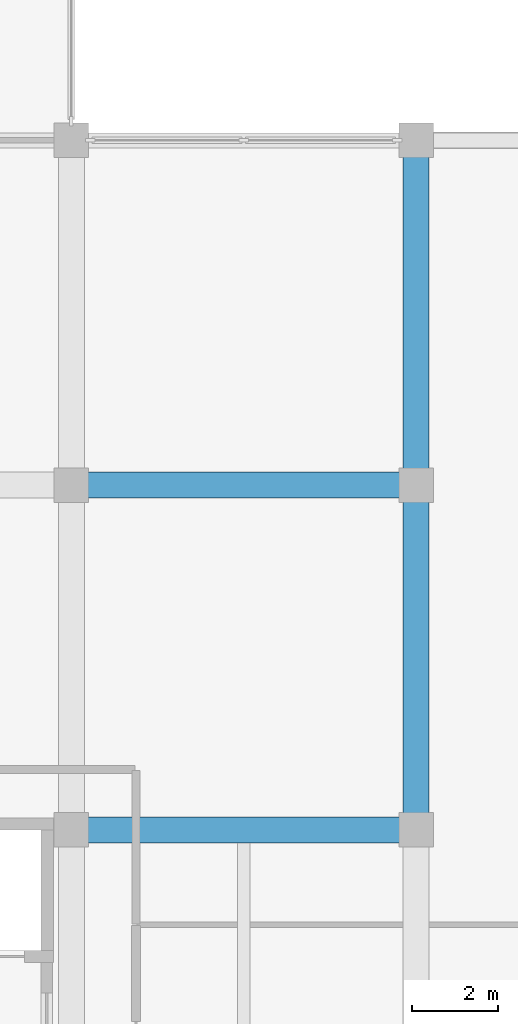
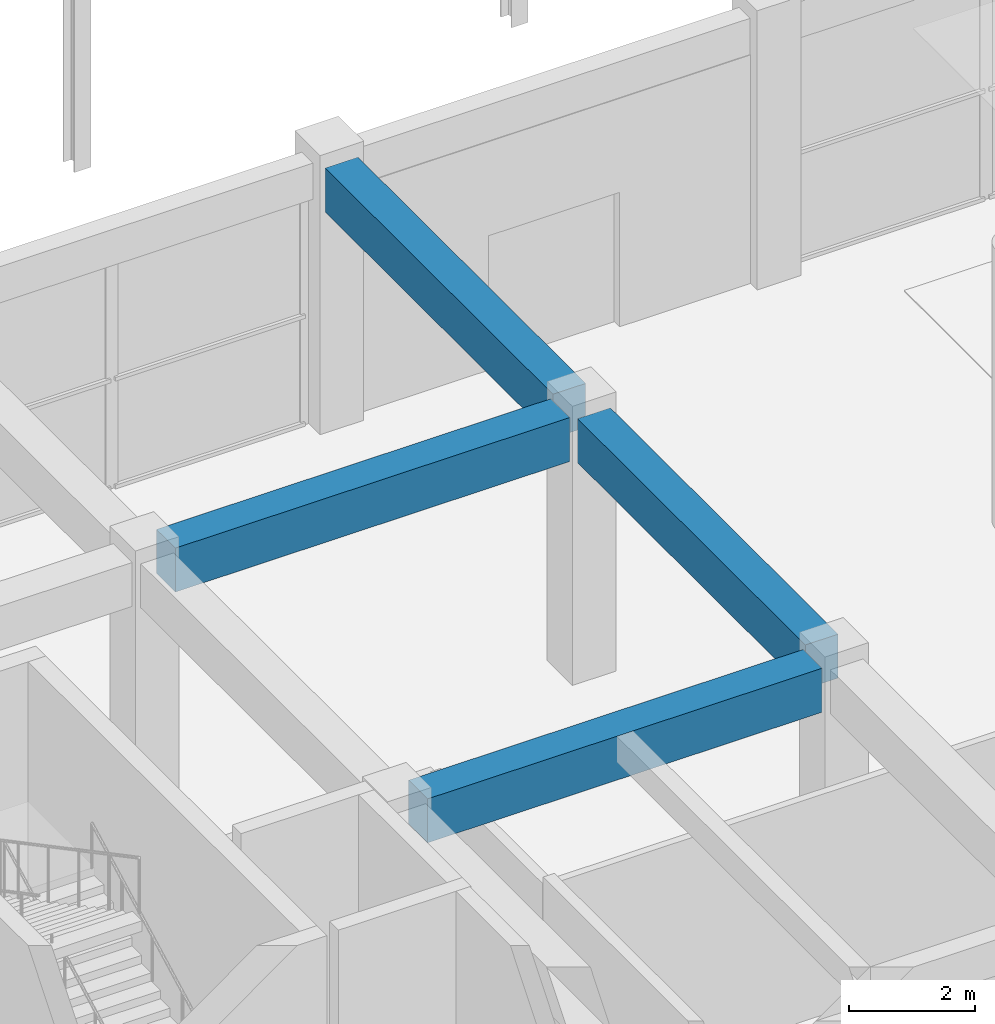
# One storey, part 21 of 86: 4 beams.
"""IFC4 building model written with IfcOpenShell, lengths in metres."""

from ifc_helpers import new_model, si_unit, direction, frame, origin, origin_2d, place, context, subcontext, project, spatial, rectangle, extrude, material, material_profile, profile_set, type_object, element, save


model = new_model("IFC4")

# Units and contexts
model_context = context("Model", 3, precision=1e-05, world=origin(), true_north=direction((0.0, 1.0)))
body_context = subcontext(model_context, "Body", "Model", "MODEL_VIEW")
ifc_project = project(units=[si_unit("LENGTHUNIT", "METRE"), si_unit("AREAUNIT", "SQUARE_METRE"), si_unit("VOLUMEUNIT", "CUBIC_METRE"), si_unit("PLANEANGLEUNIT", "RADIAN"), si_unit("MASSUNIT", "GRAM", prefix="KILO")], contexts=[model_context])

# Site, building, storey
site_placement = place(None, origin())
site = spatial("IfcSite", under=ifc_project, at=site_placement, CompositionType="ELEMENT")
building_placement = place(site_placement, origin())
building = spatial("IfcBuilding", under=site, at=building_placement, Name="Kenh Van Central Station", CompositionType="ELEMENT")
storey_placement = place(building_placement, origin())
storey = spatial("IfcBuildingStorey", under=building, at=storey_placement, Name="L00", CompositionType="ELEMENT", Elevation=0.0)

# Beams
ifc_material = material(Name="Concrete C35/45", Category="concrete")
ifc_material_profile = material_profile(ifc_material, rectangle(XDim=0.60009765625, YDim=0.85009765625, at=origin_2d()), Name="RC 600x850")
ifc_profile_set = profile_set([ifc_material_profile], Name="Concrete C35/45")
beam_type = type_object("IfcBeamType", Name="BM-RC-600x850", PredefinedType="BEAM", material=ifc_profile_set)
for number, where, z_axis, x_axis, name in (
    (1, (56.389892578125, 24.0, 4.695068359375), (1.0, 0.0, 0.0), (0.0, 1.0, 0.0), "L00 beam 0384"),
    (2, (56.389892578125, 32.0, 4.695068359375), (1.0, 0.0, 0.0), (0.0, 1.0, 0.0), "L00 beam 0398"),
    (3, (64.0, 24.389892578125, 4.695068359375), (0.0, 1.0, 0.0), (-1.0, 0.0, 0.0), "L00 beam 0505"),
    (4, (64.0, 32.389892578125, 4.695068359375), (0.0, 1.0, 0.0), (-1.0, 0.0, 0.0), "L00 beam 0506"),
):
    element("IfcBeam", number, at=place(storey_placement, frame(where, z_axis=z_axis, x_axis=x_axis)), inside=storey, type_object=beam_type, Name=name, PredefinedType="BEAM", context=body_context, shape_type="SweptSolid", body=[
        extrude(rectangle(XDim=0.60009765625, YDim=0.85009765625, at=origin_2d()), origin(), (0.0, 0.0, 1.0), 7.22021484375),
    ])

save(model, "model.ifc")
